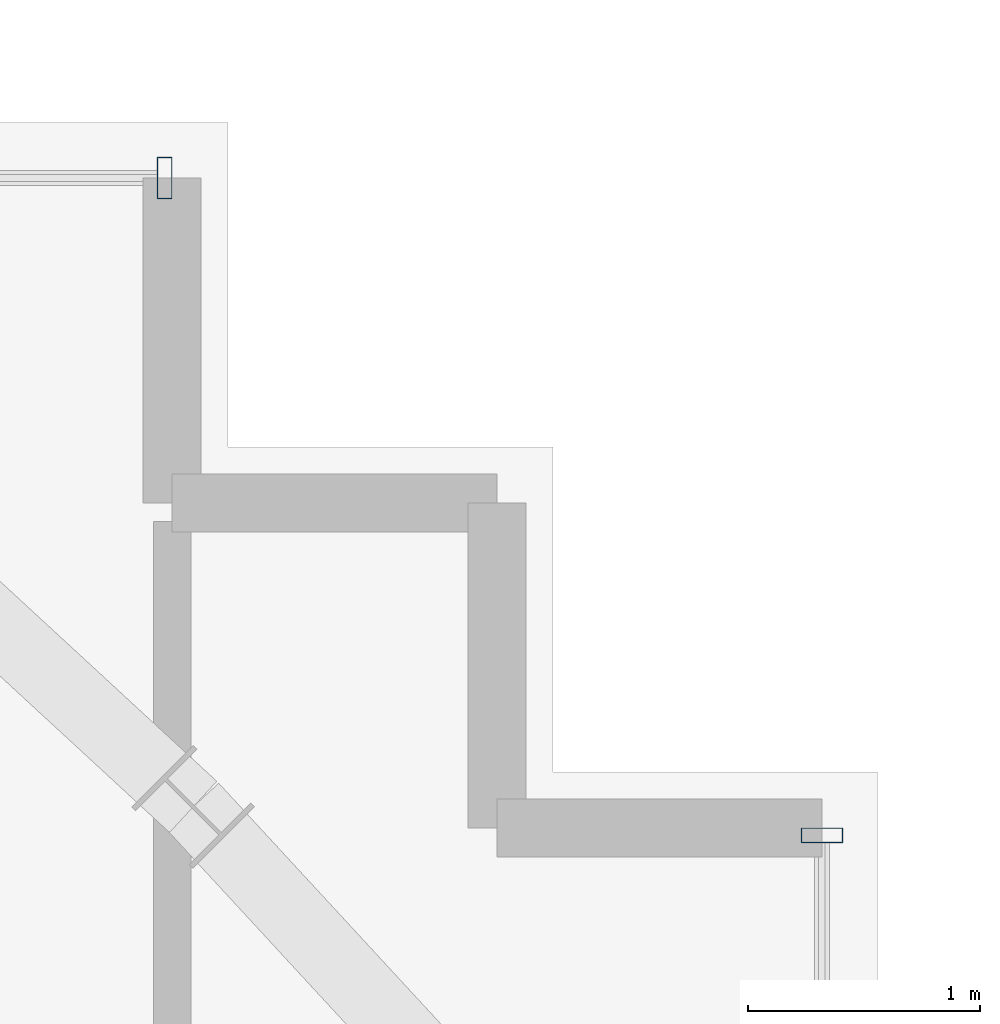
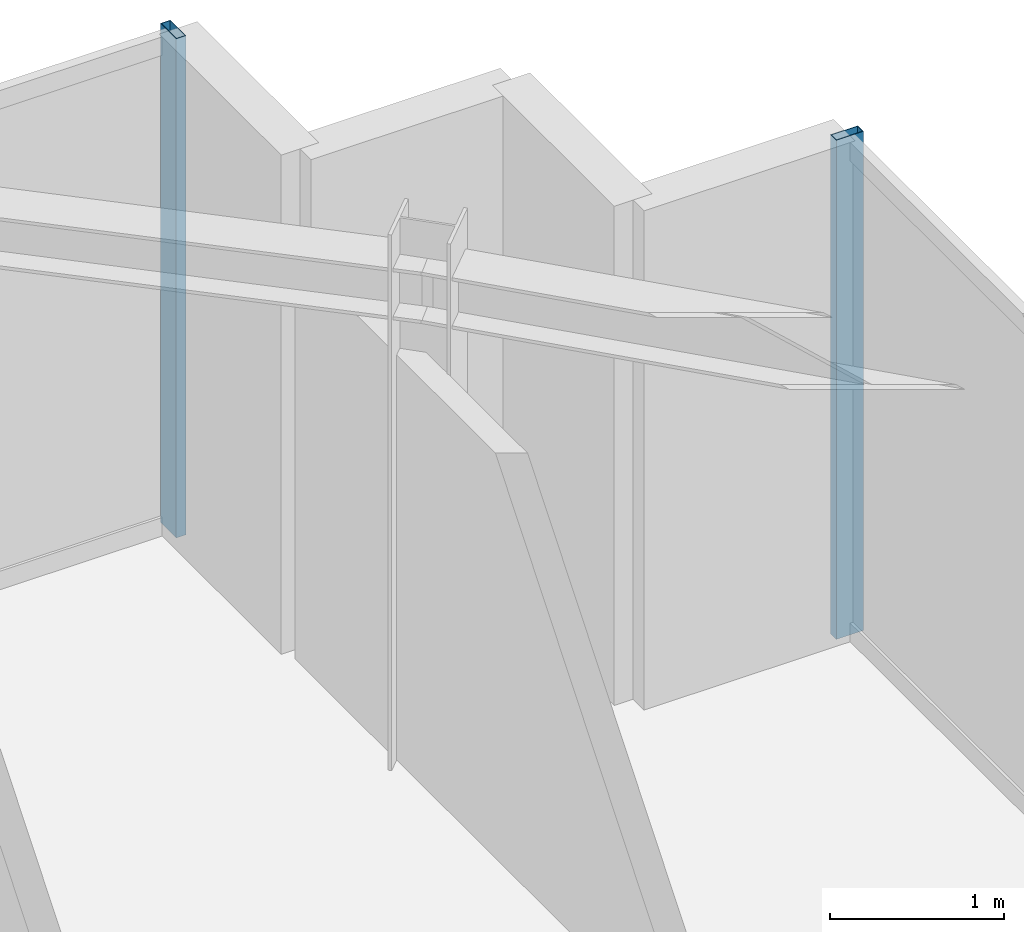
# One storey, part 22 of 31: 2 members, 2 elements without a shape of their own.
"""IFC4 building model written with IfcOpenShell, lengths in metres."""

from ifc_helpers import new_model, si_unit, direction, frame, origin, origin_2d, place, context, subcontext, project, spatial, hollow_rectangle, extrude, source, transform, mapped, material, material_profile, profile_set, type_object, element, aggregate, save


model = new_model("IFC4")

# Units and contexts
model_context = context("Model", 3, precision=1e-05, world=origin(), true_north=direction((0.0, 1.0)))
body_context = subcontext(model_context, "Body", "Model", "MODEL_VIEW")
ifc_project = project(units=[si_unit("LENGTHUNIT", "METRE"), si_unit("AREAUNIT", "SQUARE_METRE"), si_unit("VOLUMEUNIT", "CUBIC_METRE"), si_unit("PLANEANGLEUNIT", "RADIAN"), si_unit("MASSUNIT", "GRAM", prefix="KILO")], contexts=[model_context])

# Site, building, storey
site_placement = place(None, origin())
site = spatial("IfcSite", under=ifc_project, at=site_placement, CompositionType="ELEMENT")
building_placement = place(site_placement, origin())
building = spatial("IfcBuilding", under=site, at=building_placement, Name="Nahalor Promenade Grand Hotel", CompositionType="ELEMENT")
storey_placement = place(building_placement, frame((0.0, 0.0, 327.14990234375)))
storey = spatial("IfcBuildingStorey", under=building, at=storey_placement, Name="L84", CompositionType="ELEMENT", Elevation=327.14990234375)

# Curtain wall, member
ifc_material = material(Name="Anodised Bronze Aluminium EN AW-6063 T6", Category="aluminium")
curtain_wall_type = type_object("IfcCurtainWallType", Name="CW2 Typical Hotel Flush Bronze Unitised Curtain Wall", PredefinedType="USERDEFINED", material=ifc_material)
curtain_wall_1_placement = place(storey_placement, origin())
curtain_wall_1 = element("IfcCurtainWall", 1, at=curtain_wall_1_placement, inside=storey, type_object=curtain_wall_type, Name="L84 Curtain Wall CW-L84-N-3", ObjectType="UNITISED_CURTAIN_WALL", PredefinedType="USERDEFINED")
ifc_material_profile = material_profile(ifc_material, hollow_rectangle(XDim=0.065, YDim=0.18, WallThickness=0.004, at=origin_2d()), Name="CWM 65x180x4")
ifc_profile_set = profile_set([ifc_material_profile], Name="Anodised Bronze Aluminium EN AW-6063 T6")
member_type = type_object("IfcMemberType", Name="CWM2 Typical Bronze Mullion 65x180", PredefinedType="MULLION", material=ifc_profile_set)
shared_shape = source(origin(), body_context, "Body", "SweptSolid", [
    extrude(hollow_rectangle(XDim=0.065, YDim=0.18, WallThickness=0.004, at=origin_2d()), origin(), (0.0, 0.0, 1.0), 3.5),
])
member_1_placement = place(storey_placement, frame((19.7275390625, 22.56005859375, 0.0), z_axis=(0.0, 0.0, 1.0), x_axis=(1.0, 0.0, 0.0)))
member_1 = element("IfcMember", 2, at=member_1_placement, type_object=member_type, Name="CW-L84-N-3 Mullion 2", PredefinedType="MULLION", context=body_context, shape_type="MappedRepresentation", body=[
    mapped(shared_shape, transform((0.0, 0.0, 0.0), scale=1.0)),
])
aggregate(curtain_wall_1, [member_1])

curtain_wall_2_placement = place(storey_placement, origin())
curtain_wall_2 = element("IfcCurtainWall", 3, at=curtain_wall_2_placement, inside=storey, type_object=curtain_wall_type, Name="L84 Curtain Wall CW-L84-E-3", ObjectType="UNITISED_CURTAIN_WALL", PredefinedType="USERDEFINED")
member_2_placement = place(storey_placement, frame((22.56005859375, 19.7275390625, 0.0), z_axis=(0.0, 0.0, 1.0), x_axis=(0.0, 1.0, 0.0)))
member_2 = element("IfcMember", 4, at=member_2_placement, type_object=member_type, Name="CW-L84-E-3 Mullion 2", PredefinedType="MULLION", context=body_context, shape_type="MappedRepresentation", body=[
    mapped(shared_shape, transform((0.0, 0.0, 0.0), scale=1.0)),
])
aggregate(curtain_wall_2, [member_2])

save(model, "model.ifc")
